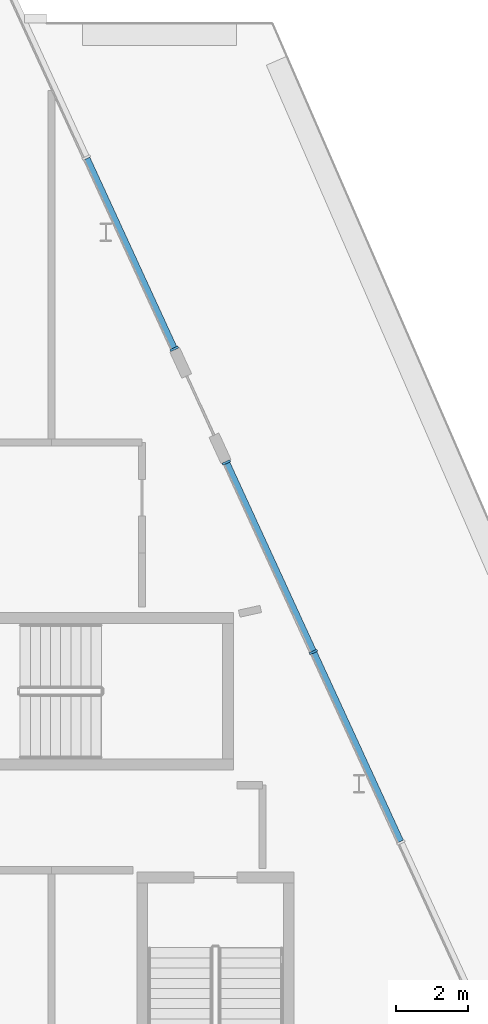
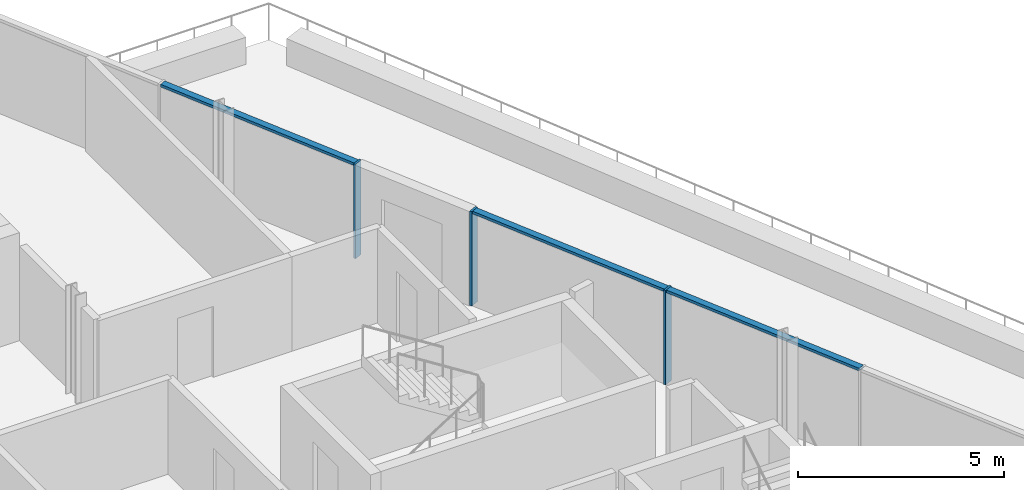
# One storey, part 6 of 17: 6 members, 2 elements without a shape of their own.
"""IFC4 building model written with IfcOpenShell, lengths in metres."""

from ifc_helpers import new_model, si_unit, direction, frame, origin, origin_2d, place, context, subcontext, project, spatial, rectangle, extrude, material, material_profile, profile_set, type_object, element, aggregate, save


model = new_model("IFC4")

# Units and contexts
model_context = context("Model", 3, precision=1e-05, world=origin(), true_north=direction((0.0, 1.0)))
body_context = subcontext(model_context, "Body", "Model", "MODEL_VIEW")
ifc_project = project(units=[si_unit("LENGTHUNIT", "METRE"), si_unit("AREAUNIT", "SQUARE_METRE"), si_unit("VOLUMEUNIT", "CUBIC_METRE"), si_unit("PLANEANGLEUNIT", "RADIAN"), si_unit("MASSUNIT", "GRAM", prefix="KILO")], contexts=[model_context])

# Site, building, storey
site_placement = place(None, origin())
site = spatial("IfcSite", under=ifc_project, at=site_placement, CompositionType="ELEMENT")
building_placement = place(site_placement, origin())
building = spatial("IfcBuilding", under=site, at=building_placement, Name="Wharfspan Tower", CompositionType="ELEMENT")
storey_placement = place(building_placement, frame((0.0, 0.0, 261.100098)))
storey = spatial("IfcBuildingStorey", under=building, at=storey_placement, Name="L66", CompositionType="ELEMENT", Elevation=261.100098)

# Curtain wall, members
ifc_material = material(Name="Aluminium 6063-T6", Category="aluminium")
curtain_wall_type = type_object("IfcCurtainWallType", Name="CURTAIN WALL PROW AND END", PredefinedType="NOTDEFINED", material=ifc_material)
curtain_wall_1_placement = place(storey_placement, origin())
curtain_wall_1 = element("IfcCurtainWall", 1, at=curtain_wall_1_placement, inside=storey, type_object=curtain_wall_type, Name="Crown curtain wall E", PredefinedType="NOTDEFINED")
ifc_material_profile_1 = material_profile(ifc_material, rectangle(XDim=0.23999, YDim=0.060059, at=origin_2d()))
ifc_profile_set_1 = profile_set([ifc_material_profile_1], Name="Aluminium 6063-T6")
member_type_1 = type_object("IfcMemberType", Name="MULLION PROW AND END 60x240", PredefinedType="MULLION", material=ifc_profile_set_1)
member_1_placement = place(storey_placement, frame((70.741943, 24.606201, 0.0), z_axis=(0.0, 0.0, 1.0), x_axis=(-0.908769, -0.417292, 0.0)))
member_1 = element("IfcMember", 2, at=member_1_placement, type_object=member_type_1, Name="Crown curtain wall E mullion 4", PredefinedType="MULLION", context=body_context, shape_type="SweptSolid", body=[
    extrude(rectangle(XDim=0.23999, YDim=0.060059, at=origin_2d()), origin(), (0.0, 0.0, 1.0), 2.799805),
])
member_2_placement = place(storey_placement, frame((68.335205, 29.8479, 0.0), z_axis=(0.0, 0.0, 1.0), x_axis=(-0.908769, -0.417292, 0.0)))
member_2 = element("IfcMember", 3, at=member_2_placement, type_object=member_type_1, Name="Crown curtain wall E mullion 5", PredefinedType="MULLION", context=body_context, shape_type="SweptSolid", body=[
    extrude(rectangle(XDim=0.23999, YDim=0.060059, at=origin_2d()), origin(), (0.0, 0.0, 1.0), 2.799805),
])

# Curtain wall, member
curtain_wall_2_placement = place(storey_placement, origin())
curtain_wall_2 = element("IfcCurtainWall", 4, at=curtain_wall_2_placement, inside=storey, type_object=curtain_wall_type, Name="Crown curtain wall E", PredefinedType="NOTDEFINED")
member_3_placement = place(storey_placement, frame((66.891357, 32.992188, 0.0), z_axis=(0.0, 0.0, 1.0), x_axis=(-0.908769, -0.417292, 0.0)))
member_3 = element("IfcMember", 5, at=member_3_placement, type_object=member_type_1, Name="Crown curtain wall E mullion 1", PredefinedType="MULLION", context=body_context, shape_type="SweptSolid", body=[
    extrude(rectangle(XDim=0.23999, YDim=0.060059, at=origin_2d()), origin(), (0.0, 0.0, 1.0), 2.799805),
])

# Member
ifc_material_profile_2 = material_profile(ifc_material, rectangle(XDim=0.179932, YDim=0.080078, at=origin_2d()))
ifc_profile_set_2 = profile_set([ifc_material_profile_2], Name="Aluminium 6063-T6")
member_type_2 = type_object("IfcMemberType", Name="TRANSOM PROW AND END 80x180", PredefinedType="USERDEFINED", material=ifc_profile_set_2)
member_4_placement = place(storey_placement, frame((73.148926, 19.364746, 2.76001), z_axis=(-0.417285, 0.908776, 0.0), x_axis=(-0.908776, -0.417285, 0.0)))
member_4 = element("IfcMember", 6, at=member_4_placement, type_object=member_type_2, Name="Crown curtain wall E transom 3", ObjectType="TRANSOM", PredefinedType="USERDEFINED", context=body_context, shape_type="SweptSolid", body=[
    extrude(rectangle(XDim=0.179932, YDim=0.080078, at=origin_2d()), origin(), (0.0, 0.0, 1.0), 5.737793),
])

member_5_placement = place(storey_placement, frame((70.729492, 24.633545, 2.76001), z_axis=(-0.4173, 0.908769, 0.0), x_axis=(-0.908769, -0.4173, 0.0)))
member_5 = element("IfcMember", 7, at=member_5_placement, type_object=member_type_2, Name="Crown curtain wall E transom 4", ObjectType="TRANSOM", PredefinedType="USERDEFINED", context=body_context, shape_type="SweptSolid", body=[
    extrude(rectangle(XDim=0.179932, YDim=0.080078, at=origin_2d()), origin(), (0.0, 0.0, 1.0), 5.707764),
])

aggregate(curtain_wall_1, [member_1, member_2, member_4, member_5])

member_6_placement = place(storey_placement, frame((66.878906, 33.019531, 2.76001), z_axis=(-0.417321, 0.908759, 0.0), x_axis=(-0.908759, -0.417321, 0.0)))
member_6 = element("IfcMember", 8, at=member_6_placement, type_object=member_type_2, Name="Crown curtain wall E transom 1", ObjectType="TRANSOM", PredefinedType="USERDEFINED", context=body_context, shape_type="SweptSolid", body=[
    extrude(rectangle(XDim=0.179932, YDim=0.080078, at=origin_2d()), origin(), (0.0, 0.0, 1.0), 5.76123),
])

aggregate(curtain_wall_2, [member_3, member_6])

save(model, "model.ifc")
